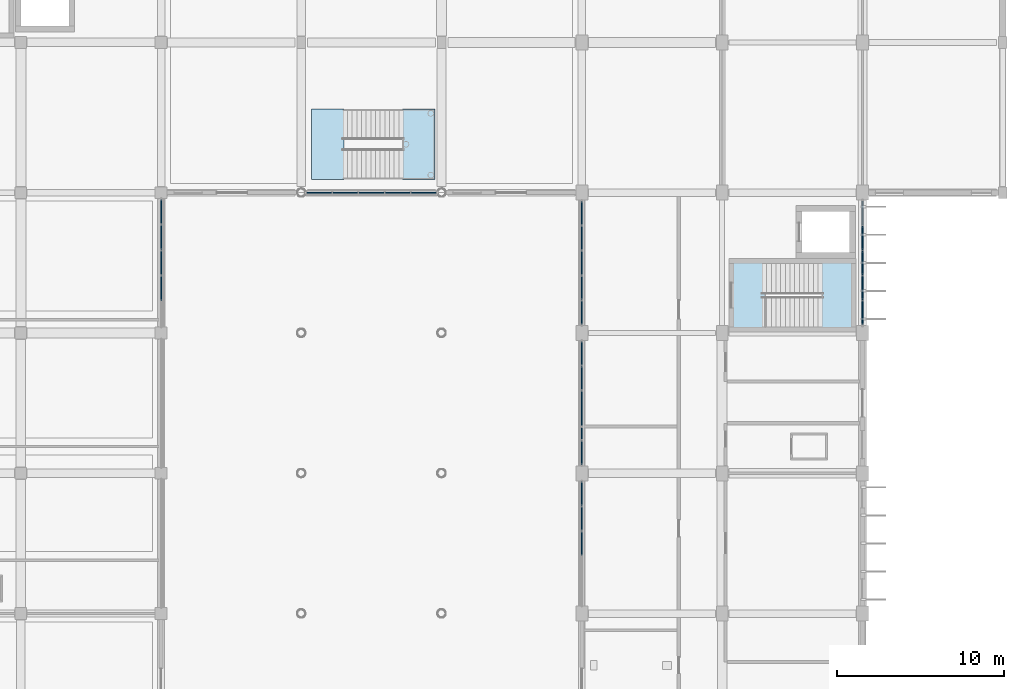
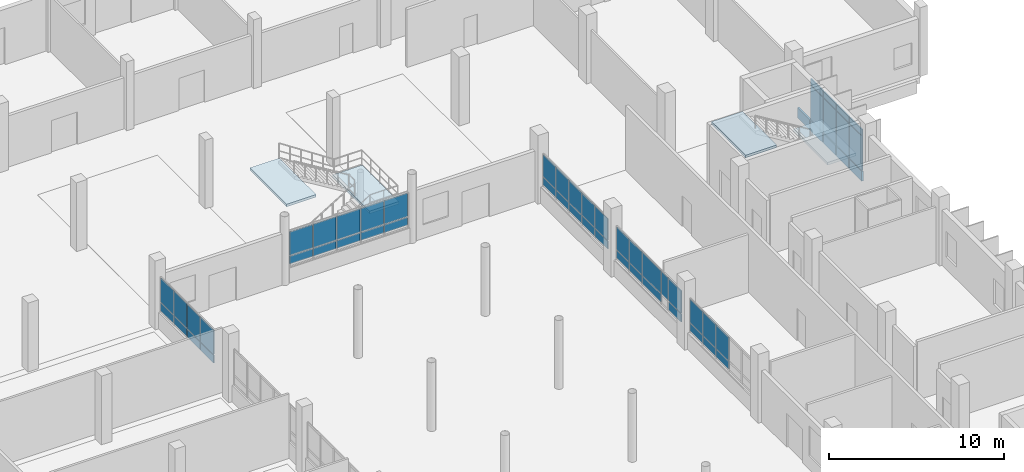
# One storey, part 69 of 95: 56 plates, 4 slabs, 8 elements without a shape of their own.
"""IFC4 building model written with IfcOpenShell, lengths in metres."""

from ifc_helpers import new_model, si_unit, direction, frame, origin, origin_2d, place, context, subcontext, project, spatial, polyline, rectangle, outline, extrude, material, layer, layer_set, type_object, element, aggregate, save


model = new_model("IFC4")

# Units and contexts
model_context = context("Model", 3, precision=1e-05, world=origin(), true_north=direction((0.0, 1.0)))
body_context = subcontext(model_context, "Body", "Model", "MODEL_VIEW")
ifc_project = project(units=[si_unit("LENGTHUNIT", "METRE"), si_unit("AREAUNIT", "SQUARE_METRE"), si_unit("VOLUMEUNIT", "CUBIC_METRE"), si_unit("PLANEANGLEUNIT", "RADIAN"), si_unit("MASSUNIT", "GRAM", prefix="KILO")], contexts=[model_context])

# Site, building, storey
site_placement = place(None, origin())
site = spatial("IfcSite", under=ifc_project, at=site_placement, CompositionType="ELEMENT")
building_placement = place(site_placement, origin())
building = spatial("IfcBuilding", under=site, at=building_placement, Name="Vireocrest Preparatory School", CompositionType="ELEMENT")
storey_placement = place(building_placement, origin())
storey = spatial("IfcBuildingStorey", under=building, at=storey_placement, Name="L00", CompositionType="ELEMENT", Elevation=0.0)

# Curtain wall, plates
ifc_material_1 = material(Name="Thermally broken aluminium EN AW-6063-T6", Category="aluminium")
ifc_layer_1 = layer(ifc_material_1, 0.179931640625)
ifc_layer_set_1 = layer_set([ifc_layer_1], Name="Thermally broken aluminium EN AW-6063-T6")
curtain_wall_type_1 = type_object("IfcCurtainWallType", Name="Ground Storefront Curtain Wall 8400x4800", PredefinedType="USERDEFINED", material=ifc_layer_set_1)
curtain_wall_1_placement = place(storey_placement, origin())
curtain_wall_1 = element("IfcCurtainWall", 1, at=curtain_wall_1_placement, inside=storey, type_object=curtain_wall_type_1, Name="Curtain Wall CW04 CW_L00_CW04_1092_0778_000", ObjectType="CURTAIN WALL", PredefinedType="USERDEFINED")
ifc_material_2 = material(Name="Insulated triple low-e tempered safety glass", Category="glass")
ifc_layer_2 = layer(ifc_material_2, 0.074951171875)
ifc_layer_set_2 = layer_set([ifc_layer_2], Name="Insulated triple low-e tempered safety glass")
plate_type_1 = type_object("IfcPlateType", Name="Acoustic Triple-Glazed Lab Curtain Panel 75", PredefinedType="CURTAIN_PANEL", material=ifc_layer_set_2)
plate_1_placement = place(storey_placement, frame((109.199951171875, 78.6279296875, 0.882568359375), z_axis=(0.0, 0.0, 1.0), x_axis=(0.0, 1.0, 0.0)))
plate_1 = element("IfcPlate", 2, at=plate_1_placement, type_object=plate_type_1, Name="CW Panel GL2 CW_L00_CW04_1092_0778_000-1-2", PredefinedType="CURTAIN_PANEL", context=body_context, shape_type="SweptSolid", body=[
    extrude(rectangle(XDim=1.4208984375, YDim=0.074951171875, at=origin_2d()), origin(), (0.0, 0.0, 1.0), 2.375),
])
plate_2_placement = place(storey_placement, frame((109.199951171875, 78.6279296875, 3.32275390625), z_axis=(0.0, 0.0, 1.0), x_axis=(0.0, 1.0, 0.0)))
plate_2 = element("IfcPlate", 3, at=plate_2_placement, type_object=plate_type_1, Name="CW Panel GL2 CW_L00_CW04_1092_0778_000-1-3", PredefinedType="CURTAIN_PANEL", context=body_context, shape_type="SweptSolid", body=[
    extrude(rectangle(XDim=1.4208984375, YDim=0.074951171875, at=origin_2d()), origin(), (0.0, 0.0, 1.0), 0.409912109375),
])
plate_3_placement = place(storey_placement, frame((109.199951171875, 80.114013671875, 0.882568359375), z_axis=(0.0, 0.0, 1.0), x_axis=(0.0, 1.0, 0.0)))
plate_3 = element("IfcPlate", 4, at=plate_3_placement, type_object=plate_type_1, Name="CW Panel GL2 CW_L00_CW04_1092_0778_000-2-2", PredefinedType="CURTAIN_PANEL", context=body_context, shape_type="SweptSolid", body=[
    extrude(rectangle(XDim=1.4208984375, YDim=0.074951171875, at=origin_2d()), origin(), (0.0, 0.0, 1.0), 2.375),
])
plate_4_placement = place(storey_placement, frame((109.199951171875, 80.114013671875, 3.32275390625), z_axis=(0.0, 0.0, 1.0), x_axis=(0.0, 1.0, 0.0)))
plate_4 = element("IfcPlate", 5, at=plate_4_placement, type_object=plate_type_1, Name="CW Panel GL2 CW_L00_CW04_1092_0778_000-2-3", PredefinedType="CURTAIN_PANEL", context=body_context, shape_type="SweptSolid", body=[
    extrude(rectangle(XDim=1.4208984375, YDim=0.074951171875, at=origin_2d()), origin(), (0.0, 0.0, 1.0), 0.409912109375),
])
plate_5_placement = place(storey_placement, frame((109.199951171875, 81.60009765625, 0.882568359375), z_axis=(0.0, 0.0, 1.0), x_axis=(0.0, 1.0, 0.0)))
plate_5 = element("IfcPlate", 6, at=plate_5_placement, type_object=plate_type_1, Name="CW Panel GL2 CW_L00_CW04_1092_0778_000-3-2", PredefinedType="CURTAIN_PANEL", context=body_context, shape_type="SweptSolid", body=[
    extrude(rectangle(XDim=1.4208984375, YDim=0.074951171875, at=origin_2d()), origin(), (0.0, 0.0, 1.0), 2.375),
])
plate_6_placement = place(storey_placement, frame((109.199951171875, 81.60009765625, 3.32275390625), z_axis=(0.0, 0.0, 1.0), x_axis=(0.0, 1.0, 0.0)))
plate_6 = element("IfcPlate", 7, at=plate_6_placement, type_object=plate_type_1, Name="CW Panel GL2 CW_L00_CW04_1092_0778_000-3-3", PredefinedType="CURTAIN_PANEL", context=body_context, shape_type="SweptSolid", body=[
    extrude(rectangle(XDim=1.4208984375, YDim=0.074951171875, at=origin_2d()), origin(), (0.0, 0.0, 1.0), 0.409912109375),
])
plate_7_placement = place(storey_placement, frame((109.199951171875, 83.0859375, 0.882568359375), z_axis=(0.0, 0.0, 1.0), x_axis=(0.0, 1.0, 0.0)))
plate_7 = element("IfcPlate", 8, at=plate_7_placement, type_object=plate_type_1, Name="CW Panel GL2 CW_L00_CW04_1092_0778_000-4-2", PredefinedType="CURTAIN_PANEL", context=body_context, shape_type="SweptSolid", body=[
    extrude(rectangle(XDim=1.4208984375, YDim=0.074951171875, at=origin_2d()), origin(), (0.0, 0.0, 1.0), 2.375),
])
plate_8_placement = place(storey_placement, frame((109.199951171875, 83.0859375, 3.32275390625), z_axis=(0.0, 0.0, 1.0), x_axis=(0.0, 1.0, 0.0)))
plate_8 = element("IfcPlate", 9, at=plate_8_placement, type_object=plate_type_1, Name="CW Panel GL2 CW_L00_CW04_1092_0778_000-4-3", PredefinedType="CURTAIN_PANEL", context=body_context, shape_type="SweptSolid", body=[
    extrude(rectangle(XDim=1.4208984375, YDim=0.074951171875, at=origin_2d()), origin(), (0.0, 0.0, 1.0), 0.409912109375),
])
ifc_material_3 = material(Name="Painted white aluminium cladding EN AW-6063-T6", Category="aluminium")
ifc_layer_3 = layer(ifc_material_3, 0.114990234375)
ifc_layer_set_3 = layer_set([ifc_layer_3], Name="Painted white aluminium cladding EN AW-6063-T6")
plate_type_2 = type_object("IfcPlateType", Name="Insulated White Spandrel Curtain Panel 115", PredefinedType="CURTAIN_PANEL", material=ifc_layer_set_3)
plate_9_placement = place(storey_placement, frame((109.199951171875, 78.6279296875, 0.12744140625), z_axis=(0.0, 0.0, 1.0), x_axis=(0.0, 1.0, 0.0)))
plate_9 = element("IfcPlate", 10, at=plate_9_placement, type_object=plate_type_2, Name="CW Panel SP2 CW_L00_CW04_1092_0778_000-1-1", PredefinedType="CURTAIN_PANEL", context=body_context, shape_type="SweptSolid", body=[
    extrude(rectangle(XDim=1.4208984375, YDim=0.114990234375, at=origin_2d()), origin(), (0.0, 0.0, 1.0), 0.68994140625),
])
plate_10_placement = place(storey_placement, frame((109.199951171875, 80.114013671875, 0.12744140625), z_axis=(0.0, 0.0, 1.0), x_axis=(0.0, 1.0, 0.0)))
plate_10 = element("IfcPlate", 11, at=plate_10_placement, type_object=plate_type_2, Name="CW Panel SP2 CW_L00_CW04_1092_0778_000-2-1", PredefinedType="CURTAIN_PANEL", context=body_context, shape_type="SweptSolid", body=[
    extrude(rectangle(XDim=1.4208984375, YDim=0.114990234375, at=origin_2d()), origin(), (0.0, 0.0, 1.0), 0.68994140625),
])
plate_11_placement = place(storey_placement, frame((109.199951171875, 81.60009765625, 0.12744140625), z_axis=(0.0, 0.0, 1.0), x_axis=(0.0, 1.0, 0.0)))
plate_11 = element("IfcPlate", 12, at=plate_11_placement, type_object=plate_type_2, Name="CW Panel SP2 CW_L00_CW04_1092_0778_000-3-1", PredefinedType="CURTAIN_PANEL", context=body_context, shape_type="SweptSolid", body=[
    extrude(rectangle(XDim=1.4208984375, YDim=0.114990234375, at=origin_2d()), origin(), (0.0, 0.0, 1.0), 0.68994140625),
])
plate_12_placement = place(storey_placement, frame((109.199951171875, 83.0859375, 0.12744140625), z_axis=(0.0, 0.0, 1.0), x_axis=(0.0, 1.0, 0.0)))
plate_12 = element("IfcPlate", 13, at=plate_12_placement, type_object=plate_type_2, Name="CW Panel SP2 CW_L00_CW04_1092_0778_000-4-1", PredefinedType="CURTAIN_PANEL", context=body_context, shape_type="SweptSolid", body=[
    extrude(rectangle(XDim=1.4208984375, YDim=0.114990234375, at=origin_2d()), origin(), (0.0, 0.0, 1.0), 0.68994140625),
])
plate_13_placement = place(storey_placement, frame((109.199951171875, 84.572021484375, 0.12744140625), z_axis=(0.0, 0.0, 1.0), x_axis=(0.0, 1.0, 0.0)))
plate_13 = element("IfcPlate", 14, at=plate_13_placement, type_object=plate_type_2, Name="CW Panel SP2 CW_L00_CW04_1092_0778_000-5-1", PredefinedType="CURTAIN_PANEL", context=body_context, shape_type="SweptSolid", body=[
    extrude(rectangle(XDim=1.4208984375, YDim=0.114990234375, at=origin_2d()), origin(), (0.0, 0.0, 1.0), 0.68994140625),
])
aggregate(curtain_wall_1, [plate_9, plate_1, plate_2, plate_10, plate_3, plate_4, plate_11, plate_5, plate_6, plate_12, plate_7, plate_8, plate_13])

# Stair, slabs
ifc_material_4 = material(Name="Concrete 40 MPa", Category="concrete")
stair_type = type_object("IfcStairType", Name="Feature Commons Stair 4800 Rise 1800 Wide", PredefinedType="HALF_TURN_STAIR", material=ifc_material_4)
stair_1_placement = place(storey_placement, origin())
stair_1 = element("IfcStair", 15, at=stair_1_placement, inside=storey, type_object=stair_type, Name="Two-Run Stair ST4-L00", PredefinedType="HALF_TURN_STAIR")
ifc_layer_4 = layer(ifc_material_4, 0.179931640625)
ifc_layer_set_4 = layer_set([ifc_layer_4], Name="Concrete 40 MPa")
slab_type = type_object("IfcSlabType", Name="Precast Concrete Stair Landing Slab 180", PredefinedType="LANDING", material=ifc_layer_set_4)
slab_1_placement = place(storey_placement, frame((0.0, 0.0, 2.219970703125)))
slab_1 = element("IfcSlab", 16, at=slab_1_placement, type_object=slab_type, Name="Stair Half-Landing ST4-L00", PredefinedType="LANDING", context=body_context, shape_type="SweptSolid", body=[
    extrude(outline(polyline([(106.760009765625, 77.7099609375), (108.64501953125, 77.7099609375), (108.64501953125, 81.590087890625), (106.760009765625, 81.590087890625), (106.760009765625, 77.7099609375)])), origin(), (0.0, 0.0, 1.0), 0.179931640625),
])
slab_2_placement = place(storey_placement, frame((0.0, 0.0, 4.6201171875)))
slab_2 = element("IfcSlab", 17, at=slab_2_placement, type_object=slab_type, Name="Stair Arrival Landing ST4-L00", PredefinedType="LANDING", context=body_context, shape_type="SweptSolid", body=[
    extrude(outline(polyline([(101.35498046875, 77.7099609375), (103.409912109375, 77.7099609375), (103.409912109375, 81.590087890625), (101.35498046875, 81.590087890625), (101.35498046875, 77.7099609375)])), origin(), (0.0, 0.0, 1.0), 0.179931640625),
])
aggregate(stair_1, [slab_1, slab_2])

stair_2_placement = place(storey_placement, origin())
stair_2 = element("IfcStair", 18, at=stair_2_placement, inside=storey, type_object=stair_type, Name="Two-Run Stair ST7-L00", PredefinedType="HALF_TURN_STAIR")
slab_3_placement = place(storey_placement, frame((0.0, 0.0, 2.219970703125)))
slab_3 = element("IfcSlab", 19, at=slab_3_placement, type_object=slab_type, Name="Stair Half-Landing ST7-L00", PredefinedType="LANDING", context=body_context, shape_type="SweptSolid", body=[
    extrude(outline(polyline([(81.659912109375, 86.60009765625), (83.60009765625, 86.60009765625), (83.60009765625, 90.800048828125), (81.659912109375, 90.800048828125), (81.659912109375, 86.60009765625)])), origin(), (0.0, 0.0, 1.0), 0.179931640625),
])
slab_4_placement = place(storey_placement, frame((0.0, 0.0, 4.6201171875)))
slab_4 = element("IfcSlab", 20, at=slab_4_placement, type_object=slab_type, Name="Stair Arrival Landing ST7-L00", PredefinedType="LANDING", context=body_context, shape_type="SweptSolid", body=[
    extrude(outline(polyline([(76.199951171875, 86.60009765625), (78.139892578125, 86.60009765625), (78.139892578125, 90.800048828125), (76.199951171875, 90.800048828125), (76.199951171875, 86.60009765625)])), origin(), (0.0, 0.0, 1.0), 0.179931640625),
])
aggregate(stair_2, [slab_3, slab_4])

# Curtain wall, plates
ifc_layer_5 = layer(ifc_material_1, 0.179931640625)
ifc_layer_set_5 = layer_set([ifc_layer_5], Name="Thermally broken aluminium EN AW-6063-T6")
curtain_wall_type_2 = type_object("IfcCurtainWallType", Name="Court Banded Curtain Wall 8400x3600", PredefinedType="USERDEFINED", material=ifc_layer_set_5)
curtain_wall_2_placement = place(storey_placement, origin())
curtain_wall_2 = element("IfcCurtainWall", 21, at=curtain_wall_2_placement, inside=storey, type_object=curtain_wall_type_2, Name="Curtain Wall CW01 CW_L00_CW01_0672_0777_012", ObjectType="CURTAIN WALL", PredefinedType="USERDEFINED")
ifc_layer_6 = layer(ifc_material_2, 0.06005859375)
ifc_layer_set_6 = layer_set([ifc_layer_6], Name="Insulated triple low-e tempered safety glass")
plate_type_3 = type_object("IfcPlateType", Name="Triple-Glazed Vision Curtain Panel 60", PredefinedType="CURTAIN_PANEL", material=ifc_layer_set_6)
plate_14_placement = place(storey_placement, frame((67.199951171875, 80.073974609375, 1.277587890625), z_axis=(0.0, 0.0, 1.0), x_axis=(0.0, 1.0, 0.0)))
plate_14 = element("IfcPlate", 22, at=plate_14_placement, type_object=plate_type_3, Name="CW Panel GL1 CW_L00_CW01_0672_0777_012-3-1", PredefinedType="CURTAIN_PANEL", context=body_context, shape_type="SweptSolid", body=[
    extrude(rectangle(XDim=1.4609375, YDim=0.06005859375, at=origin_2d()), origin(), (0.0, 0.0, 1.0), 0.5400390625),
])
plate_15_placement = place(storey_placement, frame((67.199951171875, 80.073974609375, 1.882568359375), z_axis=(0.0, 0.0, 1.0), x_axis=(0.0, 1.0, 0.0)))
plate_15 = element("IfcPlate", 23, at=plate_15_placement, type_object=plate_type_3, Name="CW Panel GL1 CW_L00_CW01_0672_0777_012-3-2", PredefinedType="CURTAIN_PANEL", context=body_context, shape_type="SweptSolid", body=[
    extrude(rectangle(XDim=1.4609375, YDim=0.06005859375, at=origin_2d()), origin(), (0.0, 0.0, 1.0), 1.669921875),
])
plate_16_placement = place(storey_placement, frame((67.199951171875, 81.60009765625, 1.277587890625), z_axis=(0.0, 0.0, 1.0), x_axis=(0.0, 1.0, 0.0)))
plate_16 = element("IfcPlate", 24, at=plate_16_placement, type_object=plate_type_3, Name="CW Panel GL1 CW_L00_CW01_0672_0777_012-4-1", PredefinedType="CURTAIN_PANEL", context=body_context, shape_type="SweptSolid", body=[
    extrude(rectangle(XDim=1.4609375, YDim=0.06005859375, at=origin_2d()), origin(), (0.0, 0.0, 1.0), 0.5400390625),
])
plate_17_placement = place(storey_placement, frame((67.199951171875, 81.60009765625, 1.882568359375), z_axis=(0.0, 0.0, 1.0), x_axis=(0.0, 1.0, 0.0)))
plate_17 = element("IfcPlate", 25, at=plate_17_placement, type_object=plate_type_3, Name="CW Panel GL1 CW_L00_CW01_0672_0777_012-4-2", PredefinedType="CURTAIN_PANEL", context=body_context, shape_type="SweptSolid", body=[
    extrude(rectangle(XDim=1.4609375, YDim=0.06005859375, at=origin_2d()), origin(), (0.0, 0.0, 1.0), 1.669921875),
])
plate_18_placement = place(storey_placement, frame((67.199951171875, 83.1259765625, 1.277587890625), z_axis=(0.0, 0.0, 1.0), x_axis=(0.0, 1.0, 0.0)))
plate_18 = element("IfcPlate", 26, at=plate_18_placement, type_object=plate_type_3, Name="CW Panel GL1 CW_L00_CW01_0672_0777_012-5-1", PredefinedType="CURTAIN_PANEL", context=body_context, shape_type="SweptSolid", body=[
    extrude(rectangle(XDim=1.4609375, YDim=0.06005859375, at=origin_2d()), origin(), (0.0, 0.0, 1.0), 0.5400390625),
])
plate_19_placement = place(storey_placement, frame((67.199951171875, 83.1259765625, 1.882568359375), z_axis=(0.0, 0.0, 1.0), x_axis=(0.0, 1.0, 0.0)))
plate_19 = element("IfcPlate", 27, at=plate_19_placement, type_object=plate_type_3, Name="CW Panel GL1 CW_L00_CW01_0672_0777_012-5-2", PredefinedType="CURTAIN_PANEL", context=body_context, shape_type="SweptSolid", body=[
    extrude(rectangle(XDim=1.4609375, YDim=0.06005859375, at=origin_2d()), origin(), (0.0, 0.0, 1.0), 1.669921875),
])
plate_20_placement = place(storey_placement, frame((67.199951171875, 84.652099609375, 1.277587890625), z_axis=(0.0, 0.0, 1.0), x_axis=(0.0, 1.0, 0.0)))
plate_20 = element("IfcPlate", 28, at=plate_20_placement, type_object=plate_type_3, Name="CW Panel GL1 CW_L00_CW01_0672_0777_012-6-1", PredefinedType="CURTAIN_PANEL", context=body_context, shape_type="SweptSolid", body=[
    extrude(rectangle(XDim=1.4609375, YDim=0.06005859375, at=origin_2d()), origin(), (0.0, 0.0, 1.0), 0.5400390625),
])
plate_21_placement = place(storey_placement, frame((67.199951171875, 84.652099609375, 1.882568359375), z_axis=(0.0, 0.0, 1.0), x_axis=(0.0, 1.0, 0.0)))
plate_21 = element("IfcPlate", 29, at=plate_21_placement, type_object=plate_type_3, Name="CW Panel GL1 CW_L00_CW01_0672_0777_012-6-2", PredefinedType="CURTAIN_PANEL", context=body_context, shape_type="SweptSolid", body=[
    extrude(rectangle(XDim=1.4609375, YDim=0.06005859375, at=origin_2d()), origin(), (0.0, 0.0, 1.0), 1.669921875),
])
aggregate(curtain_wall_2, [plate_14, plate_15, plate_16, plate_17, plate_18, plate_19, plate_20, plate_21])

ifc_layer_7 = layer(ifc_material_1, 0.179931640625)
ifc_layer_set_7 = layer_set([ifc_layer_7], Name="Thermally broken aluminium EN AW-6063-T6")
curtain_wall_type_3 = type_object("IfcCurtainWallType", Name="Winter-Garden Curtain Wall 8400x6400", PredefinedType="USERDEFINED", material=ifc_layer_set_7)
curtain_wall_3_placement = place(storey_placement, origin())
curtain_wall_3 = element("IfcCurtainWall", 30, at=curtain_wall_3_placement, inside=storey, type_object=curtain_wall_type_3, Name="Curtain Wall CW06 CW_L00_CW06_0758_0858_011", ObjectType="CURTAIN WALL", PredefinedType="USERDEFINED")
plate_22_placement = place(storey_placement, frame((76.671142578125, 85.800048828125, 1.2275390625), z_axis=(0.0, 0.0, 1.0), x_axis=(1.0, 0.0, 0.0)))
plate_22 = element("IfcPlate", 31, at=plate_22_placement, type_object=plate_type_3, Name="CW Panel GL1 CW_L00_CW06_0758_0858_011-1-1", PredefinedType="CURTAIN_PANEL", context=body_context, shape_type="SweptSolid", body=[
    extrude(rectangle(XDim=1.49951171875, YDim=0.06005859375, at=origin_2d()), origin(), (0.0, 0.0, 1.0), 0.5400390625),
])
plate_23_placement = place(storey_placement, frame((76.671142578125, 85.800048828125, 1.83251953125), z_axis=(0.0, 0.0, 1.0), x_axis=(1.0, 0.0, 0.0)))
plate_23 = element("IfcPlate", 32, at=plate_23_placement, type_object=plate_type_3, Name="CW Panel GL1 CW_L00_CW06_0758_0858_011-1-2", PredefinedType="CURTAIN_PANEL", context=body_context, shape_type="SweptSolid", body=[
    extrude(rectangle(XDim=1.49951171875, YDim=0.06005859375, at=origin_2d()), origin(), (0.0, 0.0, 1.0), 1.6298828125),
])
plate_24_placement = place(storey_placement, frame((78.235595703125, 85.800048828125, 1.2275390625), z_axis=(0.0, 0.0, 1.0), x_axis=(1.0, 0.0, 0.0)))
plate_24 = element("IfcPlate", 33, at=plate_24_placement, type_object=plate_type_3, Name="CW Panel GL1 CW_L00_CW06_0758_0858_011-2-1", PredefinedType="CURTAIN_PANEL", context=body_context, shape_type="SweptSolid", body=[
    extrude(rectangle(XDim=1.49951171875, YDim=0.06005859375, at=origin_2d()), origin(), (0.0, 0.0, 1.0), 0.5400390625),
])
plate_25_placement = place(storey_placement, frame((78.235595703125, 85.800048828125, 1.83251953125), z_axis=(0.0, 0.0, 1.0), x_axis=(1.0, 0.0, 0.0)))
plate_25 = element("IfcPlate", 34, at=plate_25_placement, type_object=plate_type_3, Name="CW Panel GL1 CW_L00_CW06_0758_0858_011-2-2", PredefinedType="CURTAIN_PANEL", context=body_context, shape_type="SweptSolid", body=[
    extrude(rectangle(XDim=1.49951171875, YDim=0.06005859375, at=origin_2d()), origin(), (0.0, 0.0, 1.0), 1.6298828125),
])
plate_26_placement = place(storey_placement, frame((79.800048828125, 85.800048828125, 1.2275390625), z_axis=(0.0, 0.0, 1.0), x_axis=(1.0, 0.0, 0.0)))
plate_26 = element("IfcPlate", 35, at=plate_26_placement, type_object=plate_type_3, Name="CW Panel GL1 CW_L00_CW06_0758_0858_011-3-1", PredefinedType="CURTAIN_PANEL", context=body_context, shape_type="SweptSolid", body=[
    extrude(rectangle(XDim=1.49951171875, YDim=0.06005859375, at=origin_2d()), origin(), (0.0, 0.0, 1.0), 0.5400390625),
])
plate_27_placement = place(storey_placement, frame((79.800048828125, 85.800048828125, 1.83251953125), z_axis=(0.0, 0.0, 1.0), x_axis=(1.0, 0.0, 0.0)))
plate_27 = element("IfcPlate", 36, at=plate_27_placement, type_object=plate_type_3, Name="CW Panel GL1 CW_L00_CW06_0758_0858_011-3-2", PredefinedType="CURTAIN_PANEL", context=body_context, shape_type="SweptSolid", body=[
    extrude(rectangle(XDim=1.49951171875, YDim=0.06005859375, at=origin_2d()), origin(), (0.0, 0.0, 1.0), 1.6298828125),
])
plate_28_placement = place(storey_placement, frame((81.364501953125, 85.800048828125, 1.2275390625), z_axis=(0.0, 0.0, 1.0), x_axis=(1.0, 0.0, 0.0)))
plate_28 = element("IfcPlate", 37, at=plate_28_placement, type_object=plate_type_3, Name="CW Panel GL1 CW_L00_CW06_0758_0858_011-4-1", PredefinedType="CURTAIN_PANEL", context=body_context, shape_type="SweptSolid", body=[
    extrude(rectangle(XDim=1.49951171875, YDim=0.06005859375, at=origin_2d()), origin(), (0.0, 0.0, 1.0), 0.5400390625),
])
plate_29_placement = place(storey_placement, frame((81.364501953125, 85.800048828125, 1.83251953125), z_axis=(0.0, 0.0, 1.0), x_axis=(1.0, 0.0, 0.0)))
plate_29 = element("IfcPlate", 38, at=plate_29_placement, type_object=plate_type_3, Name="CW Panel GL1 CW_L00_CW06_0758_0858_011-4-2", PredefinedType="CURTAIN_PANEL", context=body_context, shape_type="SweptSolid", body=[
    extrude(rectangle(XDim=1.49951171875, YDim=0.06005859375, at=origin_2d()), origin(), (0.0, 0.0, 1.0), 1.6298828125),
])
plate_30_placement = place(storey_placement, frame((82.9287109375, 85.800048828125, 1.2275390625), z_axis=(0.0, 0.0, 1.0), x_axis=(1.0, 0.0, 0.0)))
plate_30 = element("IfcPlate", 39, at=plate_30_placement, type_object=plate_type_3, Name="CW Panel GL1 CW_L00_CW06_0758_0858_011-5-1", PredefinedType="CURTAIN_PANEL", context=body_context, shape_type="SweptSolid", body=[
    extrude(rectangle(XDim=1.49951171875, YDim=0.06005859375, at=origin_2d()), origin(), (0.0, 0.0, 1.0), 0.5400390625),
])
plate_31_placement = place(storey_placement, frame((82.9287109375, 85.800048828125, 1.83251953125), z_axis=(0.0, 0.0, 1.0), x_axis=(1.0, 0.0, 0.0)))
plate_31 = element("IfcPlate", 40, at=plate_31_placement, type_object=plate_type_3, Name="CW Panel GL1 CW_L00_CW06_0758_0858_011-5-2", PredefinedType="CURTAIN_PANEL", context=body_context, shape_type="SweptSolid", body=[
    extrude(rectangle(XDim=1.49951171875, YDim=0.06005859375, at=origin_2d()), origin(), (0.0, 0.0, 1.0), 1.6298828125),
])
aggregate(curtain_wall_3, [plate_22, plate_23, plate_24, plate_25, plate_26, plate_27, plate_28, plate_29, plate_30, plate_31])

curtain_wall_4_placement = place(storey_placement, origin())
curtain_wall_4 = element("IfcCurtainWall", 41, at=curtain_wall_4_placement, inside=storey, type_object=curtain_wall_type_2, Name="Curtain Wall CW01 CW_L00_CW01_0924_0610_012", ObjectType="CURTAIN WALL", PredefinedType="USERDEFINED")
plate_32_placement = place(storey_placement, frame((92.39990234375, 64.800048828125, 1.277587890625), z_axis=(0.0, 0.0, 1.0), x_axis=(0.0, 1.0, 0.0)))
plate_32 = element("IfcPlate", 42, at=plate_32_placement, type_object=plate_type_3, Name="CW Panel GL1 CW_L00_CW01_0924_0610_012-3-1", PredefinedType="CURTAIN_PANEL", context=body_context, shape_type="SweptSolid", body=[
    extrude(rectangle(XDim=1.4208984375, YDim=0.06005859375, at=origin_2d()), origin(), (0.0, 0.0, 1.0), 0.5400390625),
])
plate_33_placement = place(storey_placement, frame((92.39990234375, 64.800048828125, 1.882568359375), z_axis=(0.0, 0.0, 1.0), x_axis=(0.0, 1.0, 0.0)))
plate_33 = element("IfcPlate", 43, at=plate_33_placement, type_object=plate_type_3, Name="CW Panel GL1 CW_L00_CW01_0924_0610_012-3-2", PredefinedType="CURTAIN_PANEL", context=body_context, shape_type="SweptSolid", body=[
    extrude(rectangle(XDim=1.4208984375, YDim=0.06005859375, at=origin_2d()), origin(), (0.0, 0.0, 1.0), 1.60009765625),
])
plate_34_placement = place(storey_placement, frame((92.39990234375, 66.285888671875, 1.277587890625), z_axis=(0.0, 0.0, 1.0), x_axis=(0.0, 1.0, 0.0)))
plate_34 = element("IfcPlate", 44, at=plate_34_placement, type_object=plate_type_3, Name="CW Panel GL1 CW_L00_CW01_0924_0610_012-4-1", PredefinedType="CURTAIN_PANEL", context=body_context, shape_type="SweptSolid", body=[
    extrude(rectangle(XDim=1.4208984375, YDim=0.06005859375, at=origin_2d()), origin(), (0.0, 0.0, 1.0), 0.5400390625),
])
plate_35_placement = place(storey_placement, frame((92.39990234375, 66.285888671875, 1.882568359375), z_axis=(0.0, 0.0, 1.0), x_axis=(0.0, 1.0, 0.0)))
plate_35 = element("IfcPlate", 45, at=plate_35_placement, type_object=plate_type_3, Name="CW Panel GL1 CW_L00_CW01_0924_0610_012-4-2", PredefinedType="CURTAIN_PANEL", context=body_context, shape_type="SweptSolid", body=[
    extrude(rectangle(XDim=1.4208984375, YDim=0.06005859375, at=origin_2d()), origin(), (0.0, 0.0, 1.0), 1.60009765625),
])
plate_36_placement = place(storey_placement, frame((92.39990234375, 67.77197265625, 1.277587890625), z_axis=(0.0, 0.0, 1.0), x_axis=(0.0, 1.0, 0.0)))
plate_36 = element("IfcPlate", 46, at=plate_36_placement, type_object=plate_type_3, Name="CW Panel GL1 CW_L00_CW01_0924_0610_012-5-1", PredefinedType="CURTAIN_PANEL", context=body_context, shape_type="SweptSolid", body=[
    extrude(rectangle(XDim=1.4208984375, YDim=0.06005859375, at=origin_2d()), origin(), (0.0, 0.0, 1.0), 0.5400390625),
])
plate_37_placement = place(storey_placement, frame((92.39990234375, 67.77197265625, 1.882568359375), z_axis=(0.0, 0.0, 1.0), x_axis=(0.0, 1.0, 0.0)))
plate_37 = element("IfcPlate", 47, at=plate_37_placement, type_object=plate_type_3, Name="CW Panel GL1 CW_L00_CW01_0924_0610_012-5-2", PredefinedType="CURTAIN_PANEL", context=body_context, shape_type="SweptSolid", body=[
    extrude(rectangle(XDim=1.4208984375, YDim=0.06005859375, at=origin_2d()), origin(), (0.0, 0.0, 1.0), 1.60009765625),
])
aggregate(curtain_wall_4, [plate_32, plate_33, plate_34, plate_35, plate_36, plate_37])

curtain_wall_5_placement = place(storey_placement, origin())
curtain_wall_5 = element("IfcCurtainWall", 48, at=curtain_wall_5_placement, inside=storey, type_object=curtain_wall_type_2, Name="Curtain Wall CW01 CW_L00_CW01_0924_0694_012", ObjectType="CURTAIN WALL", PredefinedType="USERDEFINED")
plate_38_placement = place(storey_placement, frame((92.39990234375, 70.22802734375, 1.277587890625), z_axis=(0.0, 0.0, 1.0), x_axis=(0.0, 1.0, 0.0)))
plate_38 = element("IfcPlate", 49, at=plate_38_placement, type_object=plate_type_3, Name="CW Panel GL1 CW_L00_CW01_0924_0694_012-1-1", PredefinedType="CURTAIN_PANEL", context=body_context, shape_type="SweptSolid", body=[
    extrude(rectangle(XDim=1.4208984375, YDim=0.06005859375, at=origin_2d()), origin(), (0.0, 0.0, 1.0), 0.5400390625),
])
plate_39_placement = place(storey_placement, frame((92.39990234375, 70.22802734375, 1.88232421875), z_axis=(0.0, 0.0, 1.0), x_axis=(0.0, 1.0, 0.0)))
plate_39 = element("IfcPlate", 50, at=plate_39_placement, type_object=plate_type_3, Name="CW Panel GL1 CW_L00_CW01_0924_0694_012-1-2", PredefinedType="CURTAIN_PANEL", context=body_context, shape_type="SweptSolid", body=[
    extrude(rectangle(XDim=1.4208984375, YDim=0.06005859375, at=origin_2d()), origin(), (0.0, 0.0, 1.0), 1.550048828125),
])
plate_40_placement = place(storey_placement, frame((92.39990234375, 71.385498046875, 1.88232421875), z_axis=(0.0, 0.0, 1.0), x_axis=(0.0, 1.0, 0.0)))
plate_40 = element("IfcPlate", 51, at=plate_40_placement, type_object=plate_type_3, Name="CW Panel GL1 CW_L00_CW01_0924_0694_012-2-2", PredefinedType="CURTAIN_PANEL", context=body_context, shape_type="SweptSolid", body=[
    extrude(rectangle(XDim=0.763916015625, YDim=0.06005859375, at=origin_2d()), origin(), (0.0, 0.0, 1.0), 1.550048828125),
])
plate_41_placement = place(storey_placement, frame((92.39990234375, 72.87158203125, 1.277587890625), z_axis=(0.0, 0.0, 1.0), x_axis=(0.0, 1.0, 0.0)))
plate_41 = element("IfcPlate", 52, at=plate_41_placement, type_object=plate_type_3, Name="CW Panel GL1 CW_L00_CW01_0924_0694_012-3-1", PredefinedType="CURTAIN_PANEL", context=body_context, shape_type="SweptSolid", body=[
    extrude(rectangle(XDim=2.077880859375, YDim=0.06005859375, at=origin_2d()), origin(), (0.0, 0.0, 1.0), 0.5400390625),
])
plate_42_placement = place(storey_placement, frame((92.39990234375, 72.87158203125, 1.88232421875), z_axis=(0.0, 0.0, 1.0), x_axis=(0.0, 1.0, 0.0)))
plate_42 = element("IfcPlate", 53, at=plate_42_placement, type_object=plate_type_3, Name="CW Panel GL1 CW_L00_CW01_0924_0694_012-3-2", PredefinedType="CURTAIN_PANEL", context=body_context, shape_type="SweptSolid", body=[
    extrude(rectangle(XDim=2.077880859375, YDim=0.06005859375, at=origin_2d()), origin(), (0.0, 0.0, 1.0), 1.550048828125),
])
plate_43_placement = place(storey_placement, frame((92.39990234375, 74.68603515625, 1.277587890625), z_axis=(0.0, 0.0, 1.0), x_axis=(0.0, 1.0, 0.0)))
plate_43 = element("IfcPlate", 54, at=plate_43_placement, type_object=plate_type_3, Name="CW Panel GL1 CW_L00_CW01_0924_0694_012-4-1", PredefinedType="CURTAIN_PANEL", context=body_context, shape_type="SweptSolid", body=[
    extrude(rectangle(XDim=1.4208984375, YDim=0.06005859375, at=origin_2d()), origin(), (0.0, 0.0, 1.0), 0.5400390625),
])
plate_44_placement = place(storey_placement, frame((92.39990234375, 74.68603515625, 1.88232421875), z_axis=(0.0, 0.0, 1.0), x_axis=(0.0, 1.0, 0.0)))
plate_44 = element("IfcPlate", 55, at=plate_44_placement, type_object=plate_type_3, Name="CW Panel GL1 CW_L00_CW01_0924_0694_012-4-2", PredefinedType="CURTAIN_PANEL", context=body_context, shape_type="SweptSolid", body=[
    extrude(rectangle(XDim=1.4208984375, YDim=0.06005859375, at=origin_2d()), origin(), (0.0, 0.0, 1.0), 1.550048828125),
])
plate_45_placement = place(storey_placement, frame((92.39990234375, 76.172119140625, 1.277587890625), z_axis=(0.0, 0.0, 1.0), x_axis=(0.0, 1.0, 0.0)))
plate_45 = element("IfcPlate", 56, at=plate_45_placement, type_object=plate_type_3, Name="CW Panel GL1 CW_L00_CW01_0924_0694_012-5-1", PredefinedType="CURTAIN_PANEL", context=body_context, shape_type="SweptSolid", body=[
    extrude(rectangle(XDim=1.4208984375, YDim=0.06005859375, at=origin_2d()), origin(), (0.0, 0.0, 1.0), 0.5400390625),
])
plate_46_placement = place(storey_placement, frame((92.39990234375, 76.172119140625, 1.88232421875), z_axis=(0.0, 0.0, 1.0), x_axis=(0.0, 1.0, 0.0)))
plate_46 = element("IfcPlate", 57, at=plate_46_placement, type_object=plate_type_3, Name="CW Panel GL1 CW_L00_CW01_0924_0694_012-5-2", PredefinedType="CURTAIN_PANEL", context=body_context, shape_type="SweptSolid", body=[
    extrude(rectangle(XDim=1.4208984375, YDim=0.06005859375, at=origin_2d()), origin(), (0.0, 0.0, 1.0), 1.550048828125),
])
aggregate(curtain_wall_5, [plate_38, plate_39, plate_40, plate_41, plate_42, plate_43, plate_44, plate_45, plate_46])

curtain_wall_6_placement = place(storey_placement, origin())
curtain_wall_6 = element("IfcCurtainWall", 58, at=curtain_wall_6_placement, inside=storey, type_object=curtain_wall_type_2, Name="Curtain Wall CW01 CW_L00_CW01_0924_0778_012", ObjectType="CURTAIN WALL", PredefinedType="USERDEFINED")
plate_47_placement = place(storey_placement, frame((92.39990234375, 78.6279296875, 1.277587890625), z_axis=(0.0, 0.0, 1.0), x_axis=(0.0, 1.0, 0.0)))
plate_47 = element("IfcPlate", 59, at=plate_47_placement, type_object=plate_type_3, Name="CW Panel GL1 CW_L00_CW01_0924_0778_012-1-1", PredefinedType="CURTAIN_PANEL", context=body_context, shape_type="SweptSolid", body=[
    extrude(rectangle(XDim=1.4208984375, YDim=0.06005859375, at=origin_2d()), origin(), (0.0, 0.0, 1.0), 0.5400390625),
])
plate_48_placement = place(storey_placement, frame((92.39990234375, 78.6279296875, 1.882568359375), z_axis=(0.0, 0.0, 1.0), x_axis=(0.0, 1.0, 0.0)))
plate_48 = element("IfcPlate", 60, at=plate_48_placement, type_object=plate_type_3, Name="CW Panel GL1 CW_L00_CW01_0924_0778_012-1-2", PredefinedType="CURTAIN_PANEL", context=body_context, shape_type="SweptSolid", body=[
    extrude(rectangle(XDim=1.4208984375, YDim=0.06005859375, at=origin_2d()), origin(), (0.0, 0.0, 1.0), 1.5),
])
plate_49_placement = place(storey_placement, frame((92.39990234375, 80.114013671875, 1.277587890625), z_axis=(0.0, 0.0, 1.0), x_axis=(0.0, 1.0, 0.0)))
plate_49 = element("IfcPlate", 61, at=plate_49_placement, type_object=plate_type_3, Name="CW Panel GL1 CW_L00_CW01_0924_0778_012-2-1", PredefinedType="CURTAIN_PANEL", context=body_context, shape_type="SweptSolid", body=[
    extrude(rectangle(XDim=1.4208984375, YDim=0.06005859375, at=origin_2d()), origin(), (0.0, 0.0, 1.0), 0.5400390625),
])
plate_50_placement = place(storey_placement, frame((92.39990234375, 80.114013671875, 1.882568359375), z_axis=(0.0, 0.0, 1.0), x_axis=(0.0, 1.0, 0.0)))
plate_50 = element("IfcPlate", 62, at=plate_50_placement, type_object=plate_type_3, Name="CW Panel GL1 CW_L00_CW01_0924_0778_012-2-2", PredefinedType="CURTAIN_PANEL", context=body_context, shape_type="SweptSolid", body=[
    extrude(rectangle(XDim=1.4208984375, YDim=0.06005859375, at=origin_2d()), origin(), (0.0, 0.0, 1.0), 1.5),
])
plate_51_placement = place(storey_placement, frame((92.39990234375, 81.60009765625, 1.277587890625), z_axis=(0.0, 0.0, 1.0), x_axis=(0.0, 1.0, 0.0)))
plate_51 = element("IfcPlate", 63, at=plate_51_placement, type_object=plate_type_3, Name="CW Panel GL1 CW_L00_CW01_0924_0778_012-3-1", PredefinedType="CURTAIN_PANEL", context=body_context, shape_type="SweptSolid", body=[
    extrude(rectangle(XDim=1.4208984375, YDim=0.06005859375, at=origin_2d()), origin(), (0.0, 0.0, 1.0), 0.5400390625),
])
plate_52_placement = place(storey_placement, frame((92.39990234375, 81.60009765625, 1.882568359375), z_axis=(0.0, 0.0, 1.0), x_axis=(0.0, 1.0, 0.0)))
plate_52 = element("IfcPlate", 64, at=plate_52_placement, type_object=plate_type_3, Name="CW Panel GL1 CW_L00_CW01_0924_0778_012-3-2", PredefinedType="CURTAIN_PANEL", context=body_context, shape_type="SweptSolid", body=[
    extrude(rectangle(XDim=1.4208984375, YDim=0.06005859375, at=origin_2d()), origin(), (0.0, 0.0, 1.0), 1.5),
])
plate_53_placement = place(storey_placement, frame((92.39990234375, 83.0859375, 1.277587890625), z_axis=(0.0, 0.0, 1.0), x_axis=(0.0, 1.0, 0.0)))
plate_53 = element("IfcPlate", 65, at=plate_53_placement, type_object=plate_type_3, Name="CW Panel GL1 CW_L00_CW01_0924_0778_012-4-1", PredefinedType="CURTAIN_PANEL", context=body_context, shape_type="SweptSolid", body=[
    extrude(rectangle(XDim=1.4208984375, YDim=0.06005859375, at=origin_2d()), origin(), (0.0, 0.0, 1.0), 0.5400390625),
])
plate_54_placement = place(storey_placement, frame((92.39990234375, 83.0859375, 1.882568359375), z_axis=(0.0, 0.0, 1.0), x_axis=(0.0, 1.0, 0.0)))
plate_54 = element("IfcPlate", 66, at=plate_54_placement, type_object=plate_type_3, Name="CW Panel GL1 CW_L00_CW01_0924_0778_012-4-2", PredefinedType="CURTAIN_PANEL", context=body_context, shape_type="SweptSolid", body=[
    extrude(rectangle(XDim=1.4208984375, YDim=0.06005859375, at=origin_2d()), origin(), (0.0, 0.0, 1.0), 1.5),
])
plate_55_placement = place(storey_placement, frame((92.39990234375, 84.572021484375, 1.277587890625), z_axis=(0.0, 0.0, 1.0), x_axis=(0.0, 1.0, 0.0)))
plate_55 = element("IfcPlate", 67, at=plate_55_placement, type_object=plate_type_3, Name="CW Panel GL1 CW_L00_CW01_0924_0778_012-5-1", PredefinedType="CURTAIN_PANEL", context=body_context, shape_type="SweptSolid", body=[
    extrude(rectangle(XDim=1.4208984375, YDim=0.06005859375, at=origin_2d()), origin(), (0.0, 0.0, 1.0), 0.5400390625),
])
plate_56_placement = place(storey_placement, frame((92.39990234375, 84.572021484375, 1.882568359375), z_axis=(0.0, 0.0, 1.0), x_axis=(0.0, 1.0, 0.0)))
plate_56 = element("IfcPlate", 68, at=plate_56_placement, type_object=plate_type_3, Name="CW Panel GL1 CW_L00_CW01_0924_0778_012-5-2", PredefinedType="CURTAIN_PANEL", context=body_context, shape_type="SweptSolid", body=[
    extrude(rectangle(XDim=1.4208984375, YDim=0.06005859375, at=origin_2d()), origin(), (0.0, 0.0, 1.0), 1.5),
])
aggregate(curtain_wall_6, [plate_47, plate_48, plate_49, plate_50, plate_51, plate_52, plate_53, plate_54, plate_55, plate_56])

save(model, "model.ifc")
